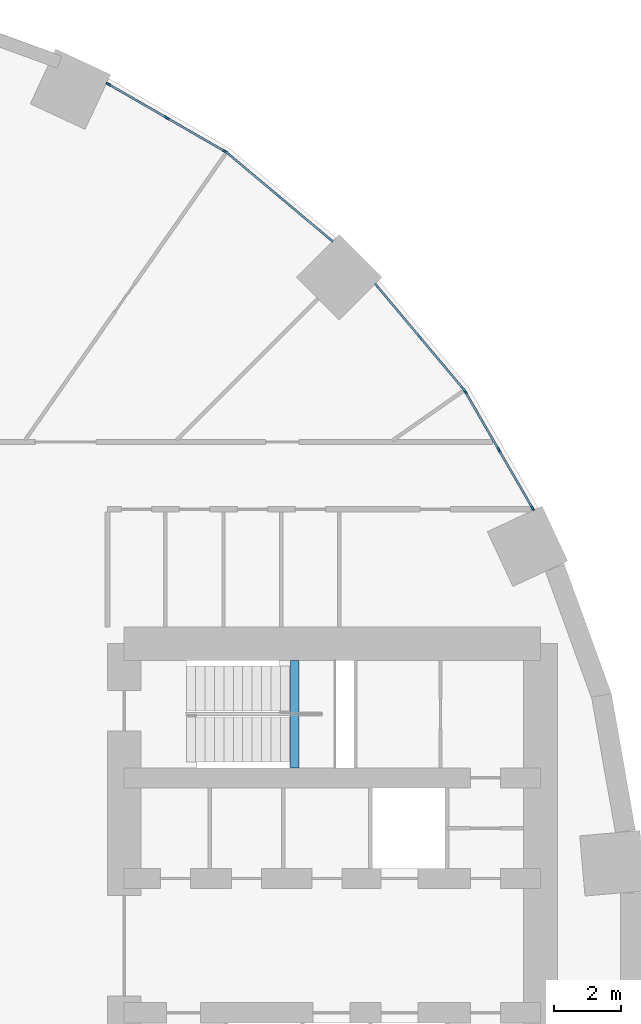
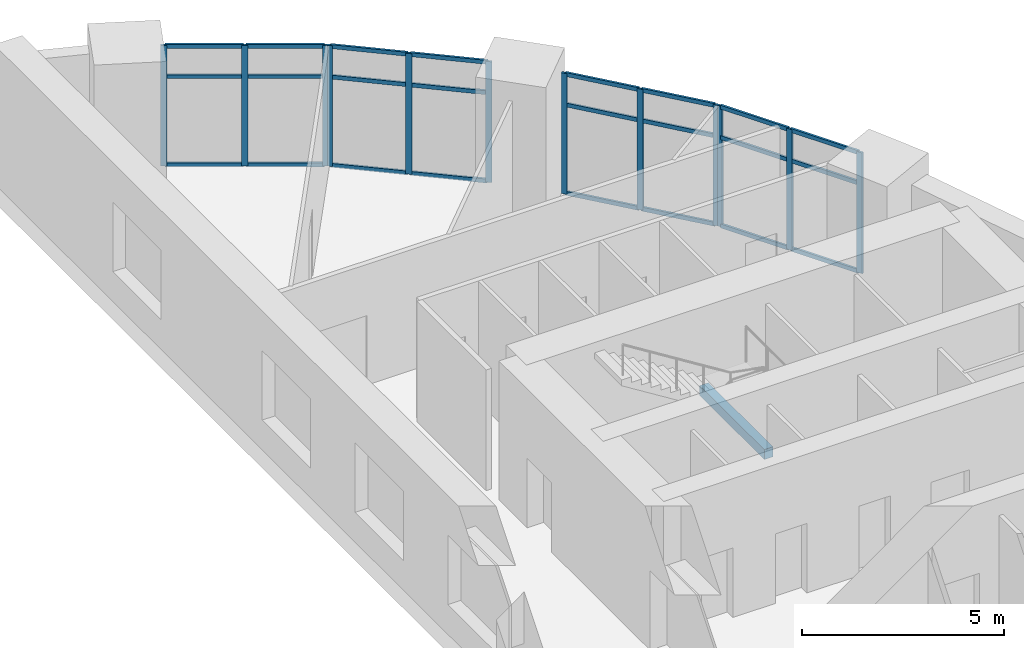
# One storey, part 5 of 13: 36 members, 1 beam, 4 elements without a shape of their own.
"""IFC4 building model written with IfcOpenShell, lengths in metres."""

from ifc_helpers import new_model, si_unit, direction, frame, origin, origin_2d, place, context, subcontext, project, spatial, rectangle, extrude, material, layer, layer_set, material_profile, profile_set, type_object, element, aggregate, save


model = new_model("IFC4")

# Units and contexts
model_context = context("Model", 3, precision=1e-05, world=origin(), true_north=direction((0.0, 1.0)))
body_context = subcontext(model_context, "Body", "Model", "MODEL_VIEW")
ifc_project = project(units=[si_unit("LENGTHUNIT", "METRE"), si_unit("AREAUNIT", "SQUARE_METRE"), si_unit("VOLUMEUNIT", "CUBIC_METRE"), si_unit("PLANEANGLEUNIT", "RADIAN"), si_unit("MASSUNIT", "GRAM", prefix="KILO")], contexts=[model_context])

# Site, building, storey
site_placement = place(None, origin())
site = spatial("IfcSite", under=ifc_project, at=site_placement, CompositionType="ELEMENT")
building_placement = place(site_placement, origin())
building = spatial("IfcBuilding", under=site, at=building_placement, Name="Saqina Gate Tower", CompositionType="ELEMENT")
storey_placement = place(building_placement, frame((0.0, 0.0, 5.0)))
storey = spatial("IfcBuildingStorey", under=building, at=storey_placement, Name="L01", CompositionType="ELEMENT", Elevation=5.0)

# Curtain wall, members
ifc_material_1 = material(Name="Aluminium glazing", Category="aluminium")
ifc_layer = layer(ifc_material_1, 0.159912109375)
ifc_layer_set = layer_set([ifc_layer], Name="CWT-1")
curtain_wall_type = type_object("IfcCurtainWallType", Name="CWT-1", PredefinedType="NOTDEFINED", material=ifc_layer_set)
curtain_wall_1_placement = place(storey_placement, origin())
curtain_wall_1 = element("IfcCurtainWall", 1, at=curtain_wall_1_placement, inside=storey, type_object=curtain_wall_type, Name="Podium shopfront facet 3", PredefinedType="NOTDEFINED")
ifc_material_2 = material(Name="Aluminium", Category="aluminium")
ifc_material_profile_1 = material_profile(ifc_material_2, rectangle(XDim=0.06005859375, YDim=0.159912109375, at=origin_2d()), Name="Aluminium 60x160")
ifc_profile_set_1 = profile_set([ifc_material_profile_1], Name="Aluminium")
member_type_1 = type_object("IfcMemberType", Name="CWT-1M", PredefinedType="MULLION", material=ifc_profile_set_1)
member_1_placement = place(storey_placement, frame((25.66015625, 13.03466796875, 0.0), z_axis=(0.0, 0.0, 1.0), x_axis=(-0.866017381415, -0.500013894893, 0.0)))
member_1 = element("IfcMember", 2, at=member_1_placement, type_object=member_type_1, Name="CW1-03 mullion 1", PredefinedType="MULLION", context=body_context, shape_type="SweptSolid", body=[
    extrude(rectangle(XDim=0.06005859375, YDim=0.159912109375, at=origin_2d()), origin(), (0.0, 0.0, 1.0), 3.64990234375),
])
member_2_placement = place(storey_placement, frame((24.65771484375, 14.770751953125, 0.0), z_axis=(0.0, 0.0, 1.0), x_axis=(-0.866017381415, -0.500013894893, 0.0)))
member_2 = element("IfcMember", 3, at=member_2_placement, type_object=member_type_1, Name="CW1-03 mullion 2", PredefinedType="MULLION", context=body_context, shape_type="SweptSolid", body=[
    extrude(rectangle(XDim=0.06005859375, YDim=0.159912109375, at=origin_2d()), origin(), (0.0, 0.0, 1.0), 3.64990234375),
])
member_3_placement = place(storey_placement, frame((23.655517578125, 16.5068359375, 0.0), z_axis=(0.0, 0.0, 1.0), x_axis=(-0.866017381415, -0.500013894893, 0.0)))
member_3 = element("IfcMember", 4, at=member_3_placement, type_object=member_type_1, Name="CW1-03 mullion 3", PredefinedType="MULLION", context=body_context, shape_type="SweptSolid", body=[
    extrude(rectangle(XDim=0.06005859375, YDim=0.159912109375, at=origin_2d()), origin(), (0.0, 0.0, 1.0), 3.64990234375),
])

curtain_wall_2_placement = place(storey_placement, origin())
curtain_wall_2 = element("IfcCurtainWall", 5, at=curtain_wall_2_placement, inside=storey, type_object=curtain_wall_type, Name="Podium shopfront facet 4", PredefinedType="NOTDEFINED")
member_4_placement = place(storey_placement, frame((23.601806640625, 16.583251953125, 0.0), z_axis=(0.0, 0.0, 1.0), x_axis=(-0.766051396473, -0.642779322911, 0.0)))
member_4 = element("IfcMember", 6, at=member_4_placement, type_object=member_type_1, Name="CW1-04 mullion 1", PredefinedType="MULLION", context=body_context, shape_type="SweptSolid", body=[
    extrude(rectangle(XDim=0.06005859375, YDim=0.159912109375, at=origin_2d()), origin(), (0.0, 0.0, 1.0), 3.64990234375),
])
member_5_placement = place(storey_placement, frame((22.3134765625, 18.118896484375, 0.0), z_axis=(0.0, 0.0, 1.0), x_axis=(-0.766051396473, -0.642779322911, 0.0)))
member_5 = element("IfcMember", 7, at=member_5_placement, type_object=member_type_1, Name="CW1-04 mullion 2", PredefinedType="MULLION", context=body_context, shape_type="SweptSolid", body=[
    extrude(rectangle(XDim=0.06005859375, YDim=0.159912109375, at=origin_2d()), origin(), (0.0, 0.0, 1.0), 3.64990234375),
])
member_6_placement = place(storey_placement, frame((21.02490234375, 19.654296875, 0.0), z_axis=(0.0, 0.0, 1.0), x_axis=(-0.766051396473, -0.642779322911, 0.0)))
member_6 = element("IfcMember", 8, at=member_6_placement, type_object=member_type_1, Name="CW1-04 mullion 3", PredefinedType="MULLION", context=body_context, shape_type="SweptSolid", body=[
    extrude(rectangle(XDim=0.06005859375, YDim=0.159912109375, at=origin_2d()), origin(), (0.0, 0.0, 1.0), 3.64990234375),
])

curtain_wall_3_placement = place(storey_placement, origin())
curtain_wall_3 = element("IfcCurtainWall", 9, at=curtain_wall_3_placement, inside=storey, type_object=curtain_wall_type, Name="Podium shopfront facet 5", PredefinedType="NOTDEFINED")
member_7_placement = place(storey_placement, frame((19.654296875, 21.02490234375, 0.0), z_axis=(0.0, 0.0, 1.0), x_axis=(-0.642779322911, -0.766051396473, 0.0)))
member_7 = element("IfcMember", 10, at=member_7_placement, type_object=member_type_1, Name="CW1-05 mullion 1", PredefinedType="MULLION", context=body_context, shape_type="SweptSolid", body=[
    extrude(rectangle(XDim=0.06005859375, YDim=0.159912109375, at=origin_2d()), origin(), (0.0, 0.0, 1.0), 3.64990234375),
])
member_8_placement = place(storey_placement, frame((18.118896484375, 22.3134765625, 0.0), z_axis=(0.0, 0.0, 1.0), x_axis=(-0.642779322911, -0.766051396473, 0.0)))
member_8 = element("IfcMember", 11, at=member_8_placement, type_object=member_type_1, Name="CW1-05 mullion 2", PredefinedType="MULLION", context=body_context, shape_type="SweptSolid", body=[
    extrude(rectangle(XDim=0.06005859375, YDim=0.159912109375, at=origin_2d()), origin(), (0.0, 0.0, 1.0), 3.64990234375),
])
member_9_placement = place(storey_placement, frame((16.583251953125, 23.601806640625, 0.0), z_axis=(0.0, 0.0, 1.0), x_axis=(-0.642779322911, -0.766051396473, 0.0)))
member_9 = element("IfcMember", 12, at=member_9_placement, type_object=member_type_1, Name="CW1-05 mullion 3", PredefinedType="MULLION", context=body_context, shape_type="SweptSolid", body=[
    extrude(rectangle(XDim=0.06005859375, YDim=0.159912109375, at=origin_2d()), origin(), (0.0, 0.0, 1.0), 3.64990234375),
])

curtain_wall_4_placement = place(storey_placement, origin())
curtain_wall_4 = element("IfcCurtainWall", 13, at=curtain_wall_4_placement, inside=storey, type_object=curtain_wall_type, Name="Podium shopfront facet 6", PredefinedType="NOTDEFINED")
member_10_placement = place(storey_placement, frame((16.5068359375, 23.655517578125, 0.0), z_axis=(0.0, 0.0, 1.0), x_axis=(-0.500013894893, -0.866017381415, 0.0)))
member_10 = element("IfcMember", 14, at=member_10_placement, type_object=member_type_1, Name="CW1-06 mullion 1", PredefinedType="MULLION", context=body_context, shape_type="SweptSolid", body=[
    extrude(rectangle(XDim=0.06005859375, YDim=0.159912109375, at=origin_2d()), origin(), (0.0, 0.0, 1.0), 3.64990234375),
])
member_11_placement = place(storey_placement, frame((14.770751953125, 24.65771484375, 0.0), z_axis=(0.0, 0.0, 1.0), x_axis=(-0.500013894893, -0.866017381415, 0.0)))
member_11 = element("IfcMember", 15, at=member_11_placement, type_object=member_type_1, Name="CW1-06 mullion 2", PredefinedType="MULLION", context=body_context, shape_type="SweptSolid", body=[
    extrude(rectangle(XDim=0.06005859375, YDim=0.159912109375, at=origin_2d()), origin(), (0.0, 0.0, 1.0), 3.64990234375),
])
member_12_placement = place(storey_placement, frame((13.03466796875, 25.66015625, 0.0), z_axis=(0.0, 0.0, 1.0), x_axis=(-0.500013894893, -0.866017381415, 0.0)))
member_12 = element("IfcMember", 16, at=member_12_placement, type_object=member_type_1, Name="CW1-06 mullion 3", PredefinedType="MULLION", context=body_context, shape_type="SweptSolid", body=[
    extrude(rectangle(XDim=0.06005859375, YDim=0.159912109375, at=origin_2d()), origin(), (0.0, 0.0, 1.0), 3.64990234375),
])

# Member
ifc_material_3 = material(Name="Aluminium", Category="aluminium")
ifc_material_profile_2 = material_profile(ifc_material_3, rectangle(XDim=0.06005859375, YDim=0.1201171875, at=origin_2d()), Name="Aluminium 60x120")
ifc_profile_set_2 = profile_set([ifc_material_profile_2], Name="Aluminium")
member_type_2 = type_object("IfcMemberType", Name="CWT-1T", PredefinedType="USERDEFINED", material=ifc_profile_set_2)
member_13_placement = place(storey_placement, frame((25.64501953125, 13.060791015625, 0.030029296875), z_axis=(-0.499947064232, 0.866055964107, 0.0), x_axis=(-0.866055964107, -0.499947064232, 0.0)))
member_13 = element("IfcMember", 17, at=member_13_placement, type_object=member_type_2, Name="CW1-03 transom 1.1", ObjectType="TRANSOM", PredefinedType="USERDEFINED", context=body_context, shape_type="SweptSolid", body=[
    extrude(rectangle(XDim=0.06005859375, YDim=0.1201171875, at=origin_2d()), origin(), (0.0, 0.0, 1.0), 1.944580078125),
])

member_14_placement = place(storey_placement, frame((25.64501953125, 13.060791015625, 2.699951171875), z_axis=(-0.499947064232, 0.866055964107, 0.0), x_axis=(-0.866055964107, -0.499947064232, 0.0)))
member_14 = element("IfcMember", 18, at=member_14_placement, type_object=member_type_2, Name="CW1-03 transom 1.2", ObjectType="TRANSOM", PredefinedType="USERDEFINED", context=body_context, shape_type="SweptSolid", body=[
    extrude(rectangle(XDim=0.06005859375, YDim=0.1201171875, at=origin_2d()), origin(), (0.0, 0.0, 1.0), 1.944580078125),
])

member_15_placement = place(storey_placement, frame((25.64501953125, 13.060791015625, 3.6201171875), z_axis=(-0.499947064232, 0.866055964107, 0.0), x_axis=(-0.866055964107, -0.499947064232, 0.0)))
member_15 = element("IfcMember", 19, at=member_15_placement, type_object=member_type_2, Name="CW1-03 transom 1.3", ObjectType="TRANSOM", PredefinedType="USERDEFINED", context=body_context, shape_type="SweptSolid", body=[
    extrude(rectangle(XDim=0.06005859375, YDim=0.1201171875, at=origin_2d()), origin(), (0.0, 0.0, 1.0), 1.944580078125),
])

member_16_placement = place(storey_placement, frame((24.642822265625, 14.796630859375, 0.030029296875), z_axis=(-0.500041225824, 0.866001600736, 0.0), x_axis=(-0.866001600736, -0.500041225824, 0.0)))
member_16 = element("IfcMember", 20, at=member_16_placement, type_object=member_type_2, Name="CW1-03 transom 2.1", ObjectType="TRANSOM", PredefinedType="USERDEFINED", context=body_context, shape_type="SweptSolid", body=[
    extrude(rectangle(XDim=0.06005859375, YDim=0.1201171875, at=origin_2d()), origin(), (0.0, 0.0, 1.0), 1.944580078125),
])

member_17_placement = place(storey_placement, frame((24.642822265625, 14.796630859375, 2.699951171875), z_axis=(-0.500041225824, 0.866001600736, 0.0), x_axis=(-0.866001600736, -0.500041225824, 0.0)))
member_17 = element("IfcMember", 21, at=member_17_placement, type_object=member_type_2, Name="CW1-03 transom 2.2", ObjectType="TRANSOM", PredefinedType="USERDEFINED", context=body_context, shape_type="SweptSolid", body=[
    extrude(rectangle(XDim=0.06005859375, YDim=0.1201171875, at=origin_2d()), origin(), (0.0, 0.0, 1.0), 1.944580078125),
])

member_18_placement = place(storey_placement, frame((24.642822265625, 14.796630859375, 3.6201171875), z_axis=(-0.500041225824, 0.866001600736, 0.0), x_axis=(-0.866001600736, -0.500041225824, 0.0)))
member_18 = element("IfcMember", 22, at=member_18_placement, type_object=member_type_2, Name="CW1-03 transom 2.3", ObjectType="TRANSOM", PredefinedType="USERDEFINED", context=body_context, shape_type="SweptSolid", body=[
    extrude(rectangle(XDim=0.06005859375, YDim=0.1201171875, at=origin_2d()), origin(), (0.0, 0.0, 1.0), 1.944580078125),
])

aggregate(curtain_wall_1, [member_1, member_2, member_3, member_13, member_14, member_15, member_16, member_17, member_18])

member_19_placement = place(storey_placement, frame((23.58251953125, 16.606201171875, 0.030029296875), z_axis=(-0.642700228444, 0.766117756196, 0.0), x_axis=(-0.766117756196, -0.642700228444, 0.0)))
member_19 = element("IfcMember", 23, at=member_19_placement, type_object=member_type_2, Name="CW1-04 transom 1.1", ObjectType="TRANSOM", PredefinedType="USERDEFINED", context=body_context, shape_type="SweptSolid", body=[
    extrude(rectangle(XDim=0.06005859375, YDim=0.1201171875, at=origin_2d()), origin(), (0.0, 0.0, 1.0), 1.944580078125),
])

member_20_placement = place(storey_placement, frame((23.58251953125, 16.606201171875, 2.699951171875), z_axis=(-0.642700228444, 0.766117756196, 0.0), x_axis=(-0.766117756196, -0.642700228444, 0.0)))
member_20 = element("IfcMember", 24, at=member_20_placement, type_object=member_type_2, Name="CW1-04 transom 1.2", ObjectType="TRANSOM", PredefinedType="USERDEFINED", context=body_context, shape_type="SweptSolid", body=[
    extrude(rectangle(XDim=0.06005859375, YDim=0.1201171875, at=origin_2d()), origin(), (0.0, 0.0, 1.0), 1.944580078125),
])

member_21_placement = place(storey_placement, frame((23.58251953125, 16.606201171875, 3.6201171875), z_axis=(-0.642700228444, 0.766117756196, 0.0), x_axis=(-0.766117756196, -0.642700228444, 0.0)))
member_21 = element("IfcMember", 25, at=member_21_placement, type_object=member_type_2, Name="CW1-04 transom 1.3", ObjectType="TRANSOM", PredefinedType="USERDEFINED", context=body_context, shape_type="SweptSolid", body=[
    extrude(rectangle(XDim=0.06005859375, YDim=0.1201171875, at=origin_2d()), origin(), (0.0, 0.0, 1.0), 1.944580078125),
])

member_22_placement = place(storey_placement, frame((22.294189453125, 18.141845703125, 0.030029296875), z_axis=(-0.642835731235, 0.76600406177, 0.0), x_axis=(-0.76600406177, -0.642835731235, 0.0)))
member_22 = element("IfcMember", 26, at=member_22_placement, type_object=member_type_2, Name="CW1-04 transom 2.1", ObjectType="TRANSOM", PredefinedType="USERDEFINED", context=body_context, shape_type="SweptSolid", body=[
    extrude(rectangle(XDim=0.06005859375, YDim=0.1201171875, at=origin_2d()), origin(), (0.0, 0.0, 1.0), 1.944580078125),
])

member_23_placement = place(storey_placement, frame((22.294189453125, 18.141845703125, 2.699951171875), z_axis=(-0.642835731235, 0.76600406177, 0.0), x_axis=(-0.76600406177, -0.642835731235, 0.0)))
member_23 = element("IfcMember", 27, at=member_23_placement, type_object=member_type_2, Name="CW1-04 transom 2.2", ObjectType="TRANSOM", PredefinedType="USERDEFINED", context=body_context, shape_type="SweptSolid", body=[
    extrude(rectangle(XDim=0.06005859375, YDim=0.1201171875, at=origin_2d()), origin(), (0.0, 0.0, 1.0), 1.944580078125),
])

member_24_placement = place(storey_placement, frame((22.294189453125, 18.141845703125, 3.6201171875), z_axis=(-0.642835731235, 0.76600406177, 0.0), x_axis=(-0.76600406177, -0.642835731235, 0.0)))
member_24 = element("IfcMember", 28, at=member_24_placement, type_object=member_type_2, Name="CW1-04 transom 2.3", ObjectType="TRANSOM", PredefinedType="USERDEFINED", context=body_context, shape_type="SweptSolid", body=[
    extrude(rectangle(XDim=0.06005859375, YDim=0.1201171875, at=origin_2d()), origin(), (0.0, 0.0, 1.0), 1.944580078125),
])

aggregate(curtain_wall_2, [member_4, member_5, member_6, member_19, member_20, member_21, member_22, member_23, member_24])

member_25_placement = place(storey_placement, frame((19.63134765625, 21.044189453125, 0.030029296875), z_axis=(-0.76600406177, 0.642835731235, 0.0), x_axis=(-0.642835731235, -0.76600406177, 0.0)))
member_25 = element("IfcMember", 29, at=member_25_placement, type_object=member_type_2, Name="CW1-05 transom 1.1", ObjectType="TRANSOM", PredefinedType="USERDEFINED", context=body_context, shape_type="SweptSolid", body=[
    extrude(rectangle(XDim=0.06005859375, YDim=0.1201171875, at=origin_2d()), origin(), (0.0, 0.0, 1.0), 1.944580078125),
])

member_26_placement = place(storey_placement, frame((19.63134765625, 21.044189453125, 2.699951171875), z_axis=(-0.76600406177, 0.642835731235, 0.0), x_axis=(-0.642835731235, -0.76600406177, 0.0)))
member_26 = element("IfcMember", 30, at=member_26_placement, type_object=member_type_2, Name="CW1-05 transom 1.2", ObjectType="TRANSOM", PredefinedType="USERDEFINED", context=body_context, shape_type="SweptSolid", body=[
    extrude(rectangle(XDim=0.06005859375, YDim=0.1201171875, at=origin_2d()), origin(), (0.0, 0.0, 1.0), 1.944580078125),
])

member_27_placement = place(storey_placement, frame((19.63134765625, 21.044189453125, 3.6201171875), z_axis=(-0.76600406177, 0.642835731235, 0.0), x_axis=(-0.642835731235, -0.76600406177, 0.0)))
member_27 = element("IfcMember", 31, at=member_27_placement, type_object=member_type_2, Name="CW1-05 transom 1.3", ObjectType="TRANSOM", PredefinedType="USERDEFINED", context=body_context, shape_type="SweptSolid", body=[
    extrude(rectangle(XDim=0.06005859375, YDim=0.1201171875, at=origin_2d()), origin(), (0.0, 0.0, 1.0), 1.944580078125),
])

member_28_placement = place(storey_placement, frame((18.095947265625, 22.332763671875, 0.030029296875), z_axis=(-0.766117756196, 0.642700228444, 0.0), x_axis=(-0.642700228444, -0.766117756196, 0.0)))
member_28 = element("IfcMember", 32, at=member_28_placement, type_object=member_type_2, Name="CW1-05 transom 2.1", ObjectType="TRANSOM", PredefinedType="USERDEFINED", context=body_context, shape_type="SweptSolid", body=[
    extrude(rectangle(XDim=0.06005859375, YDim=0.1201171875, at=origin_2d()), origin(), (0.0, 0.0, 1.0), 1.944580078125),
])

member_29_placement = place(storey_placement, frame((18.095947265625, 22.332763671875, 2.699951171875), z_axis=(-0.766117756196, 0.642700228444, 0.0), x_axis=(-0.642700228444, -0.766117756196, 0.0)))
member_29 = element("IfcMember", 33, at=member_29_placement, type_object=member_type_2, Name="CW1-05 transom 2.2", ObjectType="TRANSOM", PredefinedType="USERDEFINED", context=body_context, shape_type="SweptSolid", body=[
    extrude(rectangle(XDim=0.06005859375, YDim=0.1201171875, at=origin_2d()), origin(), (0.0, 0.0, 1.0), 1.944580078125),
])

member_30_placement = place(storey_placement, frame((18.095947265625, 22.332763671875, 3.6201171875), z_axis=(-0.766117756196, 0.642700228444, 0.0), x_axis=(-0.642700228444, -0.766117756196, 0.0)))
member_30 = element("IfcMember", 34, at=member_30_placement, type_object=member_type_2, Name="CW1-05 transom 2.3", ObjectType="TRANSOM", PredefinedType="USERDEFINED", context=body_context, shape_type="SweptSolid", body=[
    extrude(rectangle(XDim=0.06005859375, YDim=0.1201171875, at=origin_2d()), origin(), (0.0, 0.0, 1.0), 1.944580078125),
])

aggregate(curtain_wall_3, [member_7, member_8, member_9, member_25, member_26, member_27, member_28, member_29, member_30])

member_31_placement = place(storey_placement, frame((16.480712890625, 23.67041015625, 0.030029296875), z_axis=(-0.866001600736, 0.500041225824, 0.0), x_axis=(-0.500041225824, -0.866001600736, 0.0)))
member_31 = element("IfcMember", 35, at=member_31_placement, type_object=member_type_2, Name="CW1-06 transom 1.1", ObjectType="TRANSOM", PredefinedType="USERDEFINED", context=body_context, shape_type="SweptSolid", body=[
    extrude(rectangle(XDim=0.06005859375, YDim=0.1201171875, at=origin_2d()), origin(), (0.0, 0.0, 1.0), 1.944580078125),
])

member_32_placement = place(storey_placement, frame((16.480712890625, 23.67041015625, 2.699951171875), z_axis=(-0.866001600736, 0.500041225824, 0.0), x_axis=(-0.500041225824, -0.866001600736, 0.0)))
member_32 = element("IfcMember", 36, at=member_32_placement, type_object=member_type_2, Name="CW1-06 transom 1.2", ObjectType="TRANSOM", PredefinedType="USERDEFINED", context=body_context, shape_type="SweptSolid", body=[
    extrude(rectangle(XDim=0.06005859375, YDim=0.1201171875, at=origin_2d()), origin(), (0.0, 0.0, 1.0), 1.944580078125),
])

member_33_placement = place(storey_placement, frame((16.480712890625, 23.67041015625, 3.6201171875), z_axis=(-0.866001600736, 0.500041225824, 0.0), x_axis=(-0.500041225824, -0.866001600736, 0.0)))
member_33 = element("IfcMember", 37, at=member_33_placement, type_object=member_type_2, Name="CW1-06 transom 1.3", ObjectType="TRANSOM", PredefinedType="USERDEFINED", context=body_context, shape_type="SweptSolid", body=[
    extrude(rectangle(XDim=0.06005859375, YDim=0.1201171875, at=origin_2d()), origin(), (0.0, 0.0, 1.0), 1.944580078125),
])

member_34_placement = place(storey_placement, frame((14.744873046875, 24.6728515625, 0.030029296875), z_axis=(-0.866055964107, 0.499947064232, 0.0), x_axis=(-0.499947064232, -0.866055964107, 0.0)))
member_34 = element("IfcMember", 38, at=member_34_placement, type_object=member_type_2, Name="CW1-06 transom 2.1", ObjectType="TRANSOM", PredefinedType="USERDEFINED", context=body_context, shape_type="SweptSolid", body=[
    extrude(rectangle(XDim=0.06005859375, YDim=0.1201171875, at=origin_2d()), origin(), (0.0, 0.0, 1.0), 1.944580078125),
])

member_35_placement = place(storey_placement, frame((14.744873046875, 24.6728515625, 2.699951171875), z_axis=(-0.866055964107, 0.499947064232, 0.0), x_axis=(-0.499947064232, -0.866055964107, 0.0)))
member_35 = element("IfcMember", 39, at=member_35_placement, type_object=member_type_2, Name="CW1-06 transom 2.2", ObjectType="TRANSOM", PredefinedType="USERDEFINED", context=body_context, shape_type="SweptSolid", body=[
    extrude(rectangle(XDim=0.06005859375, YDim=0.1201171875, at=origin_2d()), origin(), (0.0, 0.0, 1.0), 1.944580078125),
])

member_36_placement = place(storey_placement, frame((14.744873046875, 24.6728515625, 3.6201171875), z_axis=(-0.866055964107, 0.499947064232, 0.0), x_axis=(-0.499947064232, -0.866055964107, 0.0)))
member_36 = element("IfcMember", 40, at=member_36_placement, type_object=member_type_2, Name="CW1-06 transom 2.3", ObjectType="TRANSOM", PredefinedType="USERDEFINED", context=body_context, shape_type="SweptSolid", body=[
    extrude(rectangle(XDim=0.06005859375, YDim=0.1201171875, at=origin_2d()), origin(), (0.0, 0.0, 1.0), 1.944580078125),
])

aggregate(curtain_wall_4, [member_10, member_11, member_12, member_31, member_32, member_33, member_34, member_35, member_36])

# Beam
ifc_material_4 = material(Name="Concrete C40/50", Category="concrete")
ifc_material_profile_3 = material_profile(ifc_material_4, rectangle(XDim=0.25, YDim=0.300048828125, at=origin_2d()), Name="STAIR LANDING BEAM")
ifc_profile_set_3 = profile_set([ifc_material_profile_3], Name="Concrete C40/50")
beam_type = type_object("IfcBeamType", Name="STAIR LANDING BEAM", PredefinedType="BEAM", material=ifc_profile_set_3)
beam_placement = place(storey_placement, frame((18.580078125, 5.300048828125, 1.699951171875), z_axis=(0.0, 1.0, 0.0), x_axis=(-1.0, 0.0, 0.0)))
element("IfcBeam", 41, at=beam_placement, inside=storey, type_object=beam_type, Name="EXIT STAIR 1 LANDING BEAM", PredefinedType="BEAM", context=body_context, shape_type="SweptSolid", body=[
    extrude(rectangle(XDim=0.25, YDim=0.300048828125, at=origin_2d()), origin(), (0.0, 0.0, 1.0), 3.199951171875),
])

save(model, "model.ifc")
